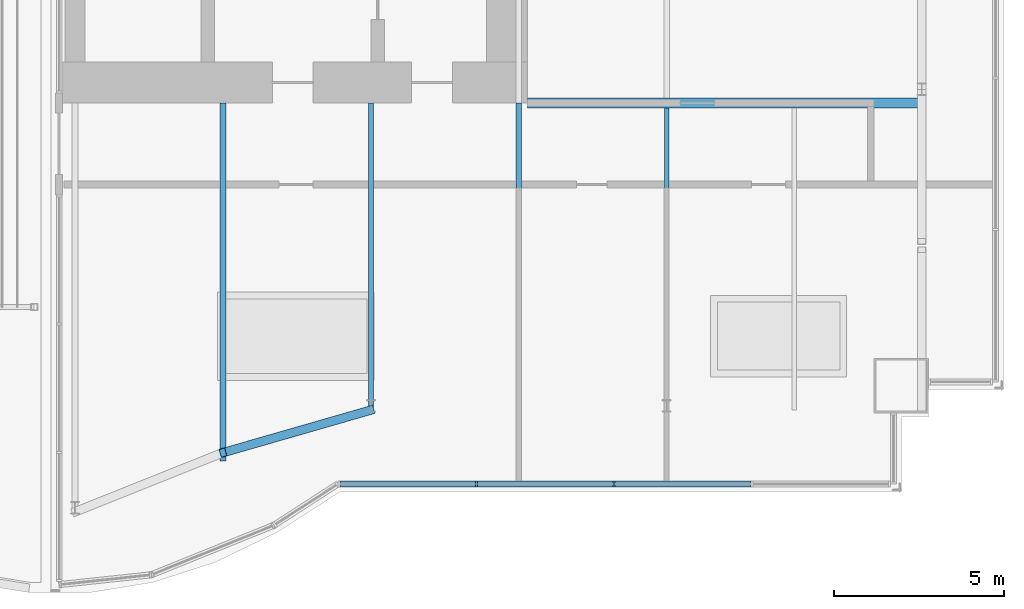
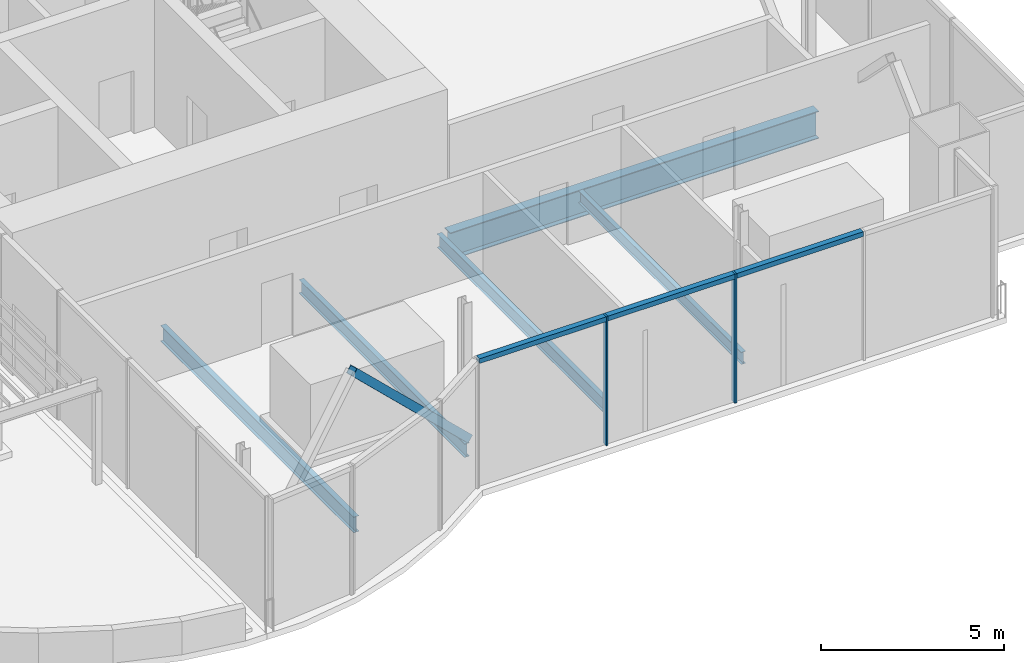
# One storey, part 7 of 18: 6 members, 5 beams, 1 element without a shape of its own.
"""IFC4 building model written with IfcOpenShell, lengths in metres."""

from ifc_helpers import new_model, si_unit, direction, frame, origin, origin_2d, place, context, subcontext, project, spatial, rectangle, hollow_rectangle, i_section, extrude, material, material_profile, profile_set, type_object, element, aggregate, save


model = new_model("IFC4")

# Units and contexts
model_context = context("Model", 3, precision=1e-05, world=origin(), true_north=direction((0.0, 1.0)))
body_context = subcontext(model_context, "Body", "Model", "MODEL_VIEW")
ifc_project = project(units=[si_unit("LENGTHUNIT", "METRE"), si_unit("AREAUNIT", "SQUARE_METRE"), si_unit("VOLUMEUNIT", "CUBIC_METRE"), si_unit("PLANEANGLEUNIT", "RADIAN"), si_unit("MASSUNIT", "GRAM", prefix="KILO")], contexts=[model_context])

# Site, building, storey
site_placement = place(None, origin())
site = spatial("IfcSite", under=ifc_project, at=site_placement, CompositionType="ELEMENT")
building_placement = place(site_placement, origin())
building = spatial("IfcBuilding", under=site, at=building_placement, Name="Bicima Exchange Tower", CompositionType="ELEMENT")
storey_placement = place(building_placement, frame((0.0, 0.0, 347.89990234375)))
storey = spatial("IfcBuildingStorey", under=building, at=storey_placement, Name="L78", CompositionType="ELEMENT", Elevation=347.89990234375)

# Beam
ifc_material_1 = material(Name="Steel ASTM A992 Gr 50", Category="steel")
ifc_material_profile_1 = material_profile(ifc_material_1, i_section(OverallWidth=0.3046875, OverallDepth=0.911865234375, WebThickness=0.015869140625, FlangeThickness=0.02392578125, at=origin_2d()))
ifc_profile_set_1 = profile_set([ifc_material_profile_1], Name="Steel ASTM A992 Gr 50")
beam_type_1 = type_object("IfcBeamType", Name="Core-line girder W36x150", PredefinedType="BEAM", material=ifc_profile_set_1)
beam_1_placement = place(storey_placement, frame((22.0, -13.0, -0.65576171875), z_axis=(1.0, 0.0, 0.0), x_axis=(0.0, 1.0, 0.0)))
element("IfcBeam", 1, at=beam_1_placement, inside=storey, type_object=beam_type_1, Name="Core-line girder", PredefinedType="BEAM", context=body_context, shape_type="SweptSolid", body=[
    extrude(i_section(OverallWidth=0.3046875, OverallDepth=0.911865234375, WebThickness=0.015869140625, FlangeThickness=0.02392578125, at=origin_2d()), origin(), (0.0, 0.0, 1.0), 11.60009765625),
])

# Curtain wall, members
ifc_material_2 = material(Name="Anodised bronze aluminium", Category="aluminium")
curtain_wall_type = type_object("IfcCurtainWallType", Name="Crown glass wall", PredefinedType="NOTDEFINED", material=ifc_material_2)
curtain_wall_placement = place(storey_placement, origin())
curtain_wall = element("IfcCurtainWall", 2, at=curtain_wall_placement, inside=storey, type_object=curtain_wall_type, Name="Crown glass wall L78 run 12", PredefinedType="NOTDEFINED")
ifc_material_profile_2 = material_profile(ifc_material_2, rectangle(XDim=0.179931640625, YDim=0.06005859375, at=origin_2d()))
ifc_profile_set_2 = profile_set([ifc_material_profile_2], Name="Anodised bronze aluminium")
member_type_1 = type_object("IfcMemberType", Name="Crown glass wall mullion 60 x 180", PredefinedType="MULLION", material=ifc_profile_set_2)
member_1_placement = place(storey_placement, frame((20.509033203125, -24.201904296875, 0.0), z_axis=(0.0, 0.0, 1.0), x_axis=(0.0, 1.0, 0.0)))
member_1 = element("IfcMember", 3, at=member_1_placement, type_object=member_type_1, Name="Crown glass wall mullion 2", PredefinedType="MULLION", context=body_context, shape_type="SweptSolid", body=[
    extrude(rectangle(XDim=0.179931640625, YDim=0.06005859375, at=origin_2d()), origin(), (0.0, 0.0, 1.0), 4.300048828125),
])
member_2_placement = place(storey_placement, frame((24.55615234375, -24.201904296875, 0.0), z_axis=(0.0, 0.0, 1.0), x_axis=(0.0, 1.0, 0.0)))
member_2 = element("IfcMember", 4, at=member_2_placement, type_object=member_type_1, Name="Crown glass wall mullion 3", PredefinedType="MULLION", context=body_context, shape_type="SweptSolid", body=[
    extrude(rectangle(XDim=0.179931640625, YDim=0.06005859375, at=origin_2d()), origin(), (0.0, 0.0, 1.0), 4.300048828125),
])
ifc_material_profile_3 = material_profile(ifc_material_2, rectangle(XDim=0.179931640625, YDim=0.159912109375, at=origin_2d()))
ifc_profile_set_3 = profile_set([ifc_material_profile_3], Name="Anodised bronze aluminium")
member_type_2 = type_object("IfcMemberType", Name="Crown glass wall transom 160 x 180", PredefinedType="USERDEFINED", material=ifc_profile_set_3)
member_3_placement = place(storey_placement, frame((16.4921875, -24.201904296875, 4.22021484375), z_axis=(1.0, 0.0, 0.0), x_axis=(0.0, 1.0, 0.0)))
member_3 = element("IfcMember", 5, at=member_3_placement, type_object=member_type_2, Name="Crown glass wall transom 1.1", ObjectType="TRANSOM", PredefinedType="USERDEFINED", context=body_context, shape_type="SweptSolid", body=[
    extrude(rectangle(XDim=0.179931640625, YDim=0.159912109375, at=origin_2d()), origin(), (0.0, 0.0, 1.0), 3.98681640625),
])
member_4_placement = place(storey_placement, frame((20.5390625, -24.201904296875, 4.22021484375), z_axis=(1.0, 0.0, 0.0), x_axis=(0.0, 1.0, 0.0)))
member_4 = element("IfcMember", 6, at=member_4_placement, type_object=member_type_2, Name="Crown glass wall transom 2.1", ObjectType="TRANSOM", PredefinedType="USERDEFINED", context=body_context, shape_type="SweptSolid", body=[
    extrude(rectangle(XDim=0.179931640625, YDim=0.159912109375, at=origin_2d()), origin(), (0.0, 0.0, 1.0), 3.987060546875),
])
member_5_placement = place(storey_placement, frame((24.586181640625, -24.201904296875, 4.22021484375), z_axis=(1.0, 0.0, 0.0), x_axis=(0.0, 1.0, 0.0)))
member_5 = element("IfcMember", 7, at=member_5_placement, type_object=member_type_2, Name="Crown glass wall transom 3.1", ObjectType="TRANSOM", PredefinedType="USERDEFINED", context=body_context, shape_type="SweptSolid", body=[
    extrude(rectangle(XDim=0.179931640625, YDim=0.159912109375, at=origin_2d()), origin(), (0.0, 0.0, 1.0), 3.98681640625),
])
aggregate(curtain_wall, [member_1, member_2, member_3, member_4, member_5])

# Beams
ifc_material_profile_4 = material_profile(ifc_material_1, i_section(OverallWidth=0.140380859375, OverallDepth=0.40380859375, WebThickness=0.007080078125, FlangeThickness=0.01123046875, at=origin_2d()))
ifc_profile_set_4 = profile_set([ifc_material_profile_4], Name="Steel ASTM A992 Gr 50")
beam_type_2 = type_object("IfcBeamType", Name="Floor beam W16x31", PredefinedType="JOIST", material=ifc_profile_set_4)
beam_2_placement = place(storey_placement, frame((26.10009765625, -13.15234375, -0.40185546875), z_axis=(0.0, -1.0, 0.0), x_axis=(1.0, 0.0, 0.0)))
element("IfcBeam", 8, at=beam_2_placement, inside=storey, type_object=beam_type_2, Name="Floor beam", PredefinedType="JOIST", context=body_context, shape_type="SweptSolid", body=[
    extrude(i_section(OverallWidth=0.140380859375, OverallDepth=0.40380859375, WebThickness=0.007080078125, FlangeThickness=0.01123046875, at=origin_2d()), origin(), (0.0, 0.0, 1.0), 8.879638671875),
])
ifc_material_profile_5 = material_profile(ifc_material_1, i_section(OverallWidth=0.15283203125, OverallDepth=0.45458984375, WebThickness=0.008056640625, FlangeThickness=0.013427734375, at=origin_2d()))
ifc_profile_set_5 = profile_set([ifc_material_profile_5], Name="Steel ASTM A992 Gr 50")
beam_type_3 = type_object("IfcBeamType", Name="Floor beam W18x40", PredefinedType="JOIST", material=ifc_profile_set_5)
for number, where, z_axis, x_axis, name in (
    (9, (17.39990234375, -13.0, -0.42724609375), (0.0, -1.0, 0.0), (1.0, 0.0, 0.0), "Floor beam"),
    (10, (21.75, -13.0, -0.42724609375), (0.0, -1.0, 0.0), (1.0, 0.0, 0.0), "Floor beam"),
):
    element("IfcBeam", number, at=place(storey_placement, frame(where, z_axis=z_axis, x_axis=x_axis)), inside=storey, type_object=beam_type_3, Name=name, PredefinedType="JOIST", context=body_context, shape_type="SweptSolid", body=[
        extrude(i_section(OverallWidth=0.15283203125, OverallDepth=0.45458984375, WebThickness=0.008056640625, FlangeThickness=0.013427734375, at=origin_2d()), origin(), (0.0, 0.0, 1.0), 9.031982421875),
    ])
ifc_material_profile_6 = material_profile(ifc_material_1, i_section(OverallWidth=0.165771484375, OverallDepth=0.5283203125, WebThickness=0.009765625, FlangeThickness=0.013671875, at=origin_2d()))
ifc_profile_set_6 = profile_set([ifc_material_profile_6], Name="Steel ASTM A992 Gr 50")
beam_type_4 = type_object("IfcBeamType", Name="Floor beam W21x50", PredefinedType="JOIST", material=ifc_profile_set_6)
beam_3_placement = place(storey_placement, frame((13.050048828125, -13.0, -0.464111328125), z_axis=(0.0, -1.0, 0.0), x_axis=(1.0, 0.0, 0.0)))
element("IfcBeam", 11, at=beam_3_placement, inside=storey, type_object=beam_type_4, Name="Floor beam", PredefinedType="JOIST", context=body_context, shape_type="SweptSolid", body=[
    extrude(i_section(OverallWidth=0.165771484375, OverallDepth=0.5283203125, WebThickness=0.009765625, FlangeThickness=0.013671875, at=origin_2d()), origin(), (0.0, 0.0, 1.0), 10.527587890625),
])

# Member
ifc_material_3 = material(Name="Steel ASTM A572 Gr 50", Category="steel")
ifc_material_profile_7 = material_profile(ifc_material_3, hollow_rectangle(XDim=0.25390625, YDim=0.25390625, WallThickness=0.01171875, at=origin_2d()))
ifc_profile_set_7 = profile_set([ifc_material_profile_7], Name="Steel ASTM A572 Gr 50")
member_type_3 = type_object("IfcMemberType", Name="Mega brace HSS10x10x1/2", PredefinedType="BRACE", material=ifc_profile_set_7)
member_6_placement = place(storey_placement, frame((17.39990234375, -22.031982421875, 0.0), z_axis=(-0.681519101026, -0.196074923492, 0.705043501718), x_axis=(0.27648739579, -0.961017544049, 0.0)))
element("IfcMember", 12, at=member_6_placement, inside=storey, type_object=member_type_3, Name="Mega brace front", PredefinedType="BRACE", context=body_context, shape_type="SweptSolid", body=[
    extrude(hollow_rectangle(XDim=0.25390625, YDim=0.25390625, WallThickness=0.01171875, at=origin_2d()), origin(), (0.0, 0.0, 1.0), 6.382568359375),
])

save(model, "model.ifc")
